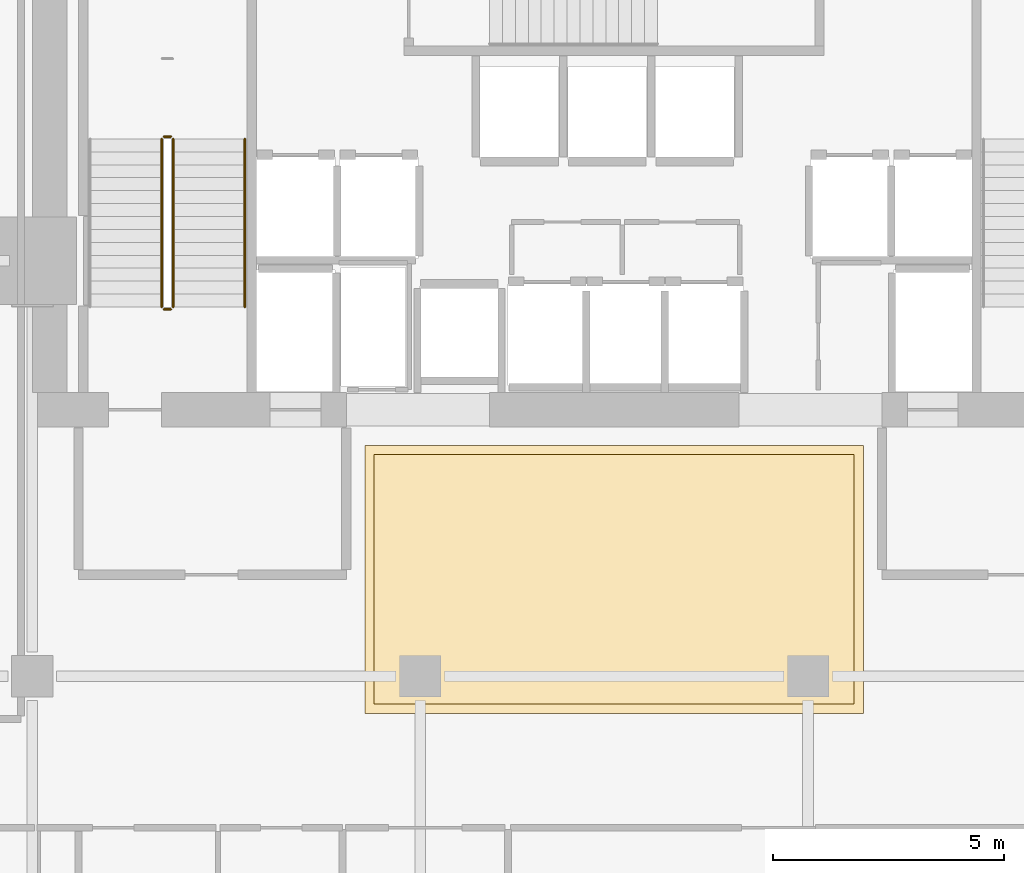
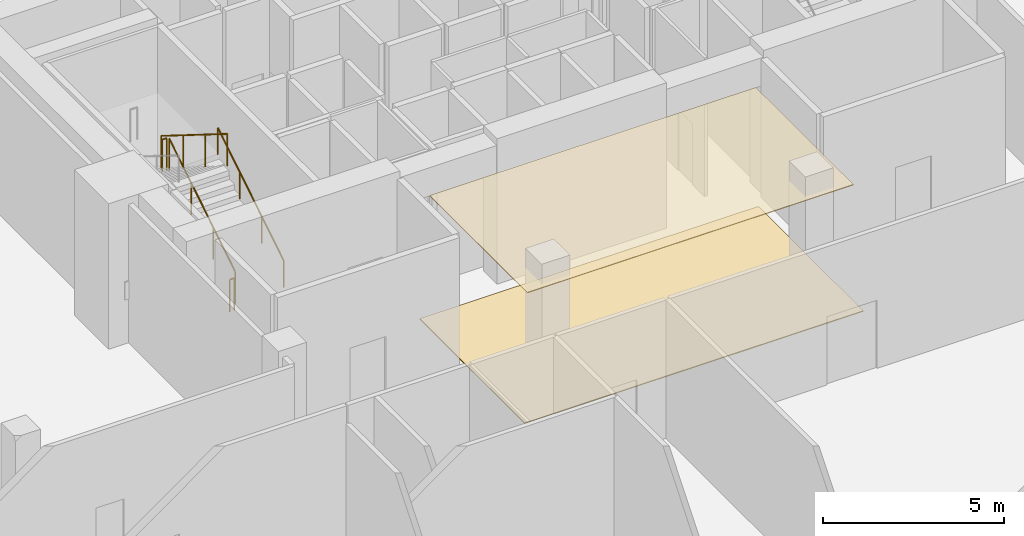
# One storey, part 29 of 31: 5 railings, 2 coverings.
"""IFC4 building model written with IfcOpenShell, lengths in metres."""

import ifcopenshell
import ifcopenshell.guid

model = None  # the IFC model being written
_history = None  # IfcOwnerHistory: only IFC2X3 demands one
_inside = {}  # id of a spatial element -> (the spatial element, [elements in it])
_under = {}  # id of a project, library or spatial element -> (it, [spatial elements below it])
_declared = {}  # id of a project -> (the project, [libraries it declares])
_typed = {}  # id of a type object -> (the type object, [elements of that type])
_made_of = {}  # id of a material, layer set ... -> (it, [elements and type objects made of it])


def new_model(schema):
    """Start an empty IFC model of exactly this schema.

    Asked for "IFC4X3", IfcOpenShell would pick the latest addendum, in which some entities
    have other attributes; the version numbers below select the first issue.
    IFC2X3 requires an IfcOwnerHistory on every rooted entity: one is made here for all.
    """
    global model, _history
    if schema == "IFC4X3":
        model = ifcopenshell.file(schema_version=(4, 3, 0, 0))
    else:
        model = ifcopenshell.file(schema=schema)
    _inside.clear()
    _under.clear()
    _declared.clear()
    _typed.clear()
    _made_of.clear()
    _history = None
    if model.schema == "IFC2X3":
        org = make("IfcOrganization", Name="unknown")
        user = make(
            "IfcPersonAndOrganization",
            ThePerson=make("IfcPerson", FamilyName="unknown"),
            TheOrganization=org,
        )
        app = make(
            "IfcApplication",
            ApplicationDeveloper=org,
            Version="unknown",
            ApplicationFullName="unknown",
            ApplicationIdentifier="unknown",
        )
        _history = make(
            "IfcOwnerHistory",
            OwningUser=user,
            OwningApplication=app,
            ChangeAction="ADDED",
            CreationDate=0,
        )
    return model


def make(cls, **values):
    """One entity of the class cls with the attributes given. An attribute that is None is left unset."""
    return model.create_entity(
        cls, **{name: value for name, value in values.items() if value is not None}
    )


def rooted(cls, **values):
    """An entity with a GlobalId (a new one), such as an element, a storey or a relation."""
    return make(cls, GlobalId=ifcopenshell.guid.new(), OwnerHistory=_history, **values)


def si_unit(unit_type, name, prefix=None):
    """IfcSIUnit, for example si_unit("LENGTHUNIT", "METRE", prefix="MILLI")."""
    return make("IfcSIUnit", UnitType=unit_type, Prefix=prefix, Name=name)


def assignment(units):
    """IfcUnitAssignment: the units of a project."""
    return None if units is None else make("IfcUnitAssignment", Units=units)


def point(xyz):
    """IfcCartesianPoint."""
    return None if xyz is None else make("IfcCartesianPoint", Coordinates=xyz)


def direction(xyz):
    """IfcDirection."""
    return None if xyz is None else make("IfcDirection", DirectionRatios=xyz)


def frame(location, z_axis=None, x_axis=None):
    """IfcAxis2Placement3D, a coordinate frame: its origin and axes. An axis left out is left unset."""
    return make(
        "IfcAxis2Placement3D",
        Location=point(location),
        Axis=direction(z_axis),
        RefDirection=direction(x_axis),
    )


def frame_2d(location, x_axis=None):
    """IfcAxis2Placement2D, a coordinate frame in the plane: its origin and x axis."""
    return make(
        "IfcAxis2Placement2D", Location=point(location), RefDirection=direction(x_axis)
    )


def origin():
    """The frame at (0, 0, 0) with its axes left unset."""
    return frame((0.0, 0.0, 0.0))


def origin_2d():
    """The frame at (0, 0) in the plane with its x axis left unset."""
    return frame_2d((0.0, 0.0))


def place(relative_to, where):
    """IfcLocalPlacement: puts the frame where relative to a parent placement (None: the world)."""
    return make(
        "IfcLocalPlacement", PlacementRelTo=relative_to, RelativePlacement=where
    )


def context(
    kind, dimensions, precision=None, world=None, true_north=None, identifier=None
):
    """IfcGeometricRepresentationContext, for example the 3D "Model" context."""
    return make(
        "IfcGeometricRepresentationContext",
        ContextIdentifier=identifier,
        ContextType=kind,
        CoordinateSpaceDimension=dimensions,
        Precision=precision,
        WorldCoordinateSystem=world,
        TrueNorth=true_north,
    )


def subcontext(parent, identifier, kind, view, scale=None):
    """IfcGeometricRepresentationSubContext, for example "Body" below "Model"."""
    return make(
        "IfcGeometricRepresentationSubContext",
        ContextIdentifier=identifier,
        ContextType=kind,
        ParentContext=parent,
        TargetScale=scale,
        TargetView=view,
    )


def project(units=None, contexts=None):
    """IfcProject with its units and contexts."""
    return rooted(
        "IfcProject",
        Name="project",
        RepresentationContexts=contexts,
        UnitsInContext=assignment(units),
    )


def spatial(cls, under=None, at=None, **own):
    """A site, building, storey or space (cls), placed at a placement, below another one or the project."""
    s = rooted(cls, ObjectPlacement=at, **own)
    if under is not None:
        _under.setdefault(under.id(), (under, []))[1].append(s)
    return s


def polyline(points):
    """IfcPolyline through the points."""
    return make("IfcPolyline", Points=[point(p) for p in points])


def profile(cls, at=None, kind="AREA", **sizes):
    """A parametric profile (cls). Its sizes go by their IFC names, for example OverallWidth=200.0."""
    return make(cls, ProfileType=kind, Position=at, **sizes)


def circle(**sizes):
    """IfcCircleProfileDef."""
    return profile("IfcCircleProfileDef", **sizes)


def outline(outer, holes=None, kind="AREA"):
    """IfcArbitraryClosedProfileDef: a profile drawn as a closed curve; with holes, ...WithVoids."""
    if holes is None:
        return make("IfcArbitraryClosedProfileDef", ProfileType=kind, OuterCurve=outer)
    return make(
        "IfcArbitraryProfileDefWithVoids",
        ProfileType=kind,
        OuterCurve=outer,
        InnerCurves=holes,
    )


def extrude(swept, where, along, depth):
    """IfcExtrudedAreaSolid: the profile swept, set in the frame where, extruded along a direction by depth."""
    return make(
        "IfcExtrudedAreaSolid",
        SweptArea=swept,
        Position=where,
        ExtrudedDirection=direction(along),
        Depth=depth,
    )


def shape(context_of_items, identifier, shape_type, items):
    """IfcShapeRepresentation: the items that make up one representation, for example the "Body"."""
    return make(
        "IfcShapeRepresentation",
        ContextOfItems=context_of_items,
        RepresentationIdentifier=identifier,
        RepresentationType=shape_type,
        Items=items,
    )


def material(Name=None, Category=None):
    """IfcMaterial."""
    return make("IfcMaterial", Name=Name, Category=Category)


def layer(
    of_material, thickness, ventilated=None, Name=None, Category=None, Priority=None
):
    """IfcMaterialLayer: one layer of a wall or slab, of a material (None: an air gap)."""
    return make(
        "IfcMaterialLayer",
        Material=of_material,
        LayerThickness=thickness,
        IsVentilated=ventilated,
        Name=Name,
        Category=Category,
        Priority=Priority,
    )


def layer_set(layers, Name=None):
    """IfcMaterialLayerSet."""
    return make("IfcMaterialLayerSet", MaterialLayers=layers, LayerSetName=Name)


def made_of(thing, what):
    """Note that an element or type object is made of a material, layer set ...; save() writes the relation."""
    if what is not None:
        _made_of.setdefault(what.id(), (what, []))[1].append(thing)
    return thing


def type_object(cls, material=None, **own):
    """A type object (cls), such as IfcWallType, which elements share."""
    return made_of(rooted(cls, **own), material)


def element(
    cls,
    number,
    at=None,
    inside=None,
    cuts=None,
    type_object=None,
    material=None,
    context=None,
    identifier="Body",
    shape_type=None,
    held_by="IfcProductDefinitionShape",
    body=None,
    shapes=None,
    **own,
):
    """One element of the class cls, such as IfcWall. Its Tag is "e" and its number.

    at: its placement. inside: the storey or other place that contains it. cuts: it is an
    opening in that element (IfcRelVoidsElement). A single representation is given by context,
    identifier, shape_type and body (its items); several are given by shapes. held_by: the class
    of the entity that holds the representations. save() writes the other relations.
    """
    e = rooted(cls, Tag="e%d" % number, ObjectPlacement=at, **own)
    if body is not None:
        shapes = [shape(context, identifier, shape_type, body)]
    if shapes is not None:
        e.Representation = make(held_by, Representations=shapes)
    if inside is not None:
        _inside.setdefault(inside.id(), (inside, []))[1].append(e)
    if cuts is not None:
        rooted(
            "IfcRelVoidsElement", RelatingBuildingElement=cuts, RelatedOpeningElement=e
        )
    if type_object is not None:
        _typed.setdefault(type_object.id(), (type_object, []))[1].append(e)
    return made_of(e, material)


def aggregate(whole, parts):
    """IfcRelAggregates: a whole, such as a stair, and the parts it consists of."""
    return rooted("IfcRelAggregates", RelatingObject=whole, RelatedObjects=parts)


def save(model, path):
    """Write the relations noted so far, then the file.

    IfcRelAggregates (storeys below a building ...), IfcRelContainedInSpatialStructure (elements
    in a storey), IfcRelDefinesByType, IfcRelAssociatesMaterial and IfcRelDeclares: one each for
    every whole, place, type object, material and project.
    """
    for whole, parts in _under.values():
        aggregate(whole, parts)
    for where, things in _inside.values():
        rooted(
            "IfcRelContainedInSpatialStructure",
            RelatedElements=things,
            RelatingStructure=where,
        )
    for kind, things in _typed.values():
        rooted("IfcRelDefinesByType", RelatedObjects=things, RelatingType=kind)
    for what, things in _made_of.values():
        rooted("IfcRelAssociatesMaterial", RelatedObjects=things, RelatingMaterial=what)
    for by, libraries in _declared.values():
        rooted("IfcRelDeclares", RelatingContext=by, RelatedDefinitions=libraries)
    model.write(path)


model = new_model("IFC4")

# Units and contexts
model_context = context("Model", 3, precision=1e-05, world=origin(), true_north=direction((0.0, 1.0)))
body_context = subcontext(model_context, "Body", "Model", "MODEL_VIEW")
ifc_project = project(units=[si_unit("LENGTHUNIT", "METRE"), si_unit("AREAUNIT", "SQUARE_METRE"), si_unit("VOLUMEUNIT", "CUBIC_METRE"), si_unit("PLANEANGLEUNIT", "RADIAN"), si_unit("MASSUNIT", "GRAM", prefix="KILO")], contexts=[model_context])

# Site, building, storey
site_placement = place(None, origin())
site = spatial("IfcSite", under=ifc_project, at=site_placement, CompositionType="ELEMENT")
building_placement = place(site_placement, origin())
building = spatial("IfcBuilding", under=site, at=building_placement, Name="Maruvema Waterfront Hotel and Observation Tower", CompositionType="ELEMENT")
storey_placement = place(building_placement, frame((0.0, 0.0, 122.5)))
storey = spatial("IfcBuildingStorey", under=building, at=storey_placement, Name="L29", CompositionType="ELEMENT", Elevation=122.5)

# Coverings
ifc_material_1 = material(Name="Honed Pernambuco warm granite", Category="masonry")
ifc_layer_1 = layer(ifc_material_1, 0.030029296875, Name="Honed Pernambuco Granite Lobby Flooring 30 mm")
ifc_layer_set_1 = layer_set([ifc_layer_1], Name="Honed Pernambuco warm granite")
covering_type_1 = type_object("IfcCoveringType", Name="Honed Pernambuco Granite Lobby Flooring 30 mm", PredefinedType="FLOORING", material=ifc_layer_set_1)
covering_1_placement = place(storey_placement, origin())
element("IfcCovering", 1, at=covering_1_placement, inside=storey, type_object=covering_type_1, Name="L29 Sky Concourse Granite Flooring", PredefinedType="FLOORING", context=body_context, shape_type="SweptSolid", body=[
    extrude(outline(polyline([(32.39990234375, 35.199951171875), (43.199951171875, 35.199951171875), (43.199951171875, 41.0), (32.39990234375, 41.0), (32.39990234375, 35.199951171875)])), origin(), (0.0, 0.0, 1.0), 0.030029296875),
])
ifc_material_2 = material(Name="Perforated acoustic gypsum board", Category="gypsum")
ifc_layer_2 = layer(ifc_material_2, 0.02490234375, Name="Perforated Acoustic Gypsum Suspended Ceiling 25 mm")
ifc_layer_set_2 = layer_set([ifc_layer_2], Name="Perforated acoustic gypsum board")
covering_type_2 = type_object("IfcCoveringType", Name="Perforated Acoustic Gypsum Suspended Ceiling 25 mm", PredefinedType="CEILING", material=ifc_layer_set_2)
covering_2_placement = place(storey_placement, frame((0.0, 0.0, 4.2099609375)))
element("IfcCovering", 2, at=covering_2_placement, inside=storey, type_object=covering_type_2, Name="L29 Sky Concourse Acoustic Ceiling", PredefinedType="CEILING", context=body_context, shape_type="SweptSolid", body=[
    extrude(outline(polyline([(32.60009765625, 35.39990234375), (43.0, 35.39990234375), (43.0, 40.800048828125), (32.60009765625, 40.800048828125), (32.60009765625, 35.39990234375)])), origin(), (0.0, 0.0, 1.0), 0.025146484375),
])

# Railings
ifc_material_3 = material(Name="Brushed stainless steel Grade 316", Category="steel")
railing_type_1 = type_object("IfcRailingType", Name="Ramp Continuous Wall Handrail 920 mm", PredefinedType="HANDRAIL", material=ifc_material_3)
railing_1_placement = place(storey_placement, frame((29.800048828125, 44.0, 0.175048828125)))
element("IfcRailing", 3, at=railing_1_placement, inside=storey, type_object=railing_type_1, Name="L29 ST-01 stair handrail 1", PredefinedType="HANDRAIL", context=body_context, shape_type="SweptSolid", body=[
    extrude(circle(Radius=0.02392578125, at=origin_2d()), frame((0.0, 0.0, 0.89599609375), z_axis=(0.0, 0.848001499411, 0.52999382732), x_axis=(-1.0, 0.0, 0.0)), (0.0, 0.0, 1.0), 4.292236328125),
    extrude(circle(Radius=0.02099609375, at=origin_2d()), origin(), (0.0, 0.0, 1.0), 0.871826171875),
    extrude(circle(Radius=0.02099609375, at=origin_2d()), frame((0.0, 1.21337890625, 0.75830078125)), (0.0, 0.0, 1.0), 0.871826171875),
    extrude(circle(Radius=0.02099609375, at=origin_2d()), frame((0.0, 2.426513671875, 1.5166015625)), (0.0, 0.0, 1.0), 0.871826171875),
    extrude(circle(Radius=0.02099609375, at=origin_2d()), frame((0.0, 3.639892578125, 2.27490234375)), (0.0, 0.0, 1.0), 0.871826171875),
])
ifc_material_4 = material(Name="Brushed stainless steel Grade 316", Category="steel")
railing_type_2 = type_object("IfcRailingType", Name="Ramp and Terrace Guard Balustrade 1100 mm", PredefinedType="BALUSTRADE", material=ifc_material_4)
railing_2_placement = place(storey_placement, frame((28.25, 44.0, 0.175048828125)))
element("IfcRailing", 4, at=railing_2_placement, inside=storey, type_object=railing_type_2, Name="L29 ST-01 stair guard 1", PredefinedType="BALUSTRADE", context=body_context, shape_type="SweptSolid", body=[
    extrude(circle(Radius=0.02392578125, at=origin_2d()), frame((0.0, 0.0, 1.076171875), z_axis=(0.0, 0.848001499411, 0.52999382732), x_axis=(-1.0, 0.0, 0.0)), (0.0, 0.0, 1.0), 4.292236328125),
    extrude(circle(Radius=0.02099609375, at=origin_2d()), origin(), (0.0, 0.0, 1.0), 1.052001953125),
    extrude(circle(Radius=0.02099609375, at=origin_2d()), frame((0.0, 1.21337890625, 0.75830078125)), (0.0, 0.0, 1.0), 1.052001953125),
    extrude(circle(Radius=0.02099609375, at=origin_2d()), frame((0.0, 2.426513671875, 1.5166015625)), (0.0, 0.0, 1.0), 1.052001953125),
    extrude(circle(Radius=0.02099609375, at=origin_2d()), frame((0.0, 3.639892578125, 2.27490234375)), (0.0, 0.0, 1.0), 1.052001953125),
])
railing_3_placement = place(storey_placement, frame((28.199951171875, 47.68994140625, 2.449951171875)))
element("IfcRailing", 5, at=railing_3_placement, inside=storey, type_object=railing_type_2, Name="L29 ST-01 stair guard 2", PredefinedType="BALUSTRADE", context=body_context, shape_type="SweptSolid", body=[
    extrude(circle(Radius=0.02392578125, at=origin_2d()), frame((0.0, 0.0, 1.076171875), z_axis=(-1.0, 0.0, 0.0), x_axis=(0.0, -1.0, 0.0)), (0.0, 0.0, 1.0), 0.14990234375),
    extrude(circle(Radius=0.02099609375, at=origin_2d()), origin(), (0.0, 0.0, 1.0), 1.052001953125),
    extrude(circle(Radius=0.02099609375, at=origin_2d()), frame((-0.14990234375, 0.0, 0.0)), (0.0, 0.0, 1.0), 1.052001953125),
])
railing_4_placement = place(storey_placement, frame((28.0, 47.639892578125, 2.625)))
element("IfcRailing", 6, at=railing_4_placement, inside=storey, type_object=railing_type_2, Name="L29 ST-01 stair guard 3", PredefinedType="BALUSTRADE", context=body_context, shape_type="SweptSolid", body=[
    extrude(circle(Radius=0.02392578125, at=origin_2d()), frame((0.0, 0.0, 1.076171875), z_axis=(0.0, -0.848001499411, 0.52999382732), x_axis=(1.0, 0.0, 0.0)), (0.0, 0.0, 1.0), 4.292236328125),
    extrude(circle(Radius=0.02099609375, at=origin_2d()), origin(), (0.0, 0.0, 1.0), 1.052001953125),
    extrude(circle(Radius=0.02099609375, at=origin_2d()), frame((0.0, -1.21337890625, 0.75830078125)), (0.0, 0.0, 1.0), 1.052001953125),
    extrude(circle(Radius=0.02099609375, at=origin_2d()), frame((0.0, -2.426513671875, 1.5166015625)), (0.0, 0.0, 1.0), 1.052001953125),
    extrude(circle(Radius=0.02099609375, at=origin_2d()), frame((0.0, -3.639892578125, 2.27490234375)), (0.0, 0.0, 1.0), 1.052001953125),
])
railing_5_placement = place(storey_placement, frame((28.199951171875, 43.949951171875, 0.0)))
element("IfcRailing", 7, at=railing_5_placement, inside=storey, type_object=railing_type_2, Name="L29 ST-01 stair guard 4", PredefinedType="BALUSTRADE", context=body_context, shape_type="SweptSolid", body=[
    extrude(circle(Radius=0.02392578125, at=origin_2d()), frame((0.0, 0.0, 1.076171875), z_axis=(-1.0, 0.0, 0.0), x_axis=(0.0, -1.0, 0.0)), (0.0, 0.0, 1.0), 0.14990234375),
    extrude(circle(Radius=0.02099609375, at=origin_2d()), origin(), (0.0, 0.0, 1.0), 1.052001953125),
    extrude(circle(Radius=0.02099609375, at=origin_2d()), frame((-0.14990234375, 0.0, 0.0)), (0.0, 0.0, 1.0), 1.052001953125),
])

save(model, "model.ifc")
